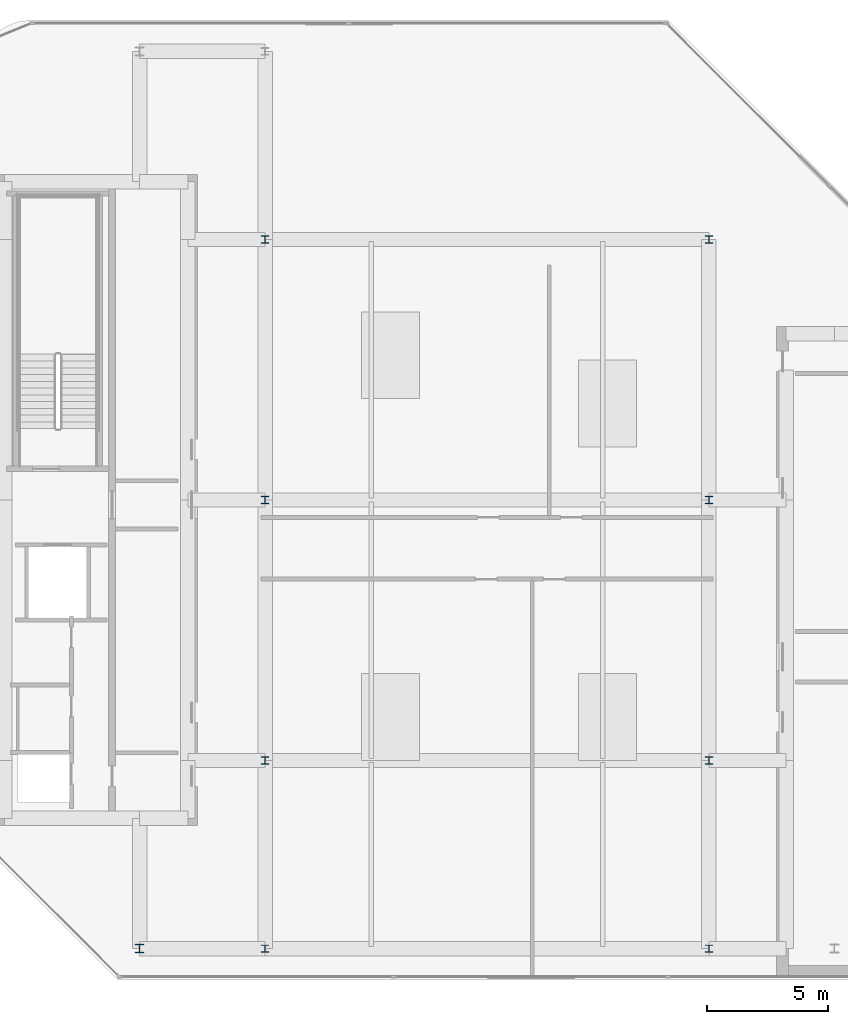
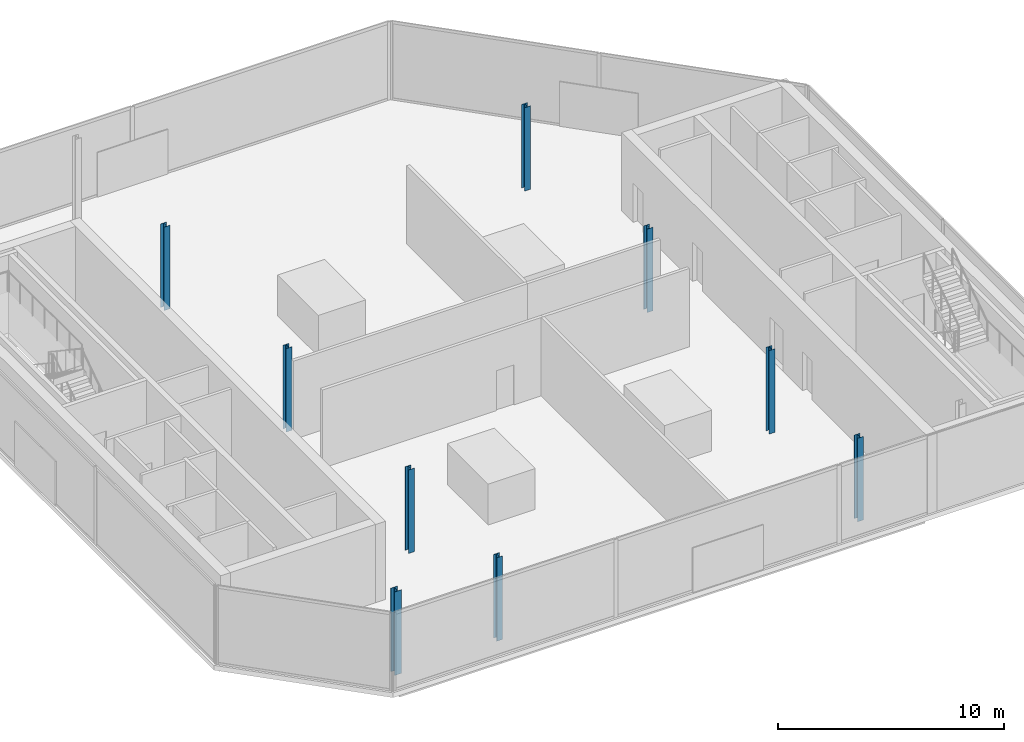
# One storey, part 1 of 15: 9 columns.
"""IFC4 building model written with IfcOpenShell, lengths in metres."""

from ifc_helpers import new_model, si_unit, direction, frame, origin, origin_2d, place, context, subcontext, project, spatial, i_section, extrude, material, material_profile, profile_set, type_object, element, save


model = new_model("IFC4")

# Units and contexts
model_context = context("Model", 3, precision=1e-05, world=origin(), true_north=direction((0.0, 1.0)))
body_context = subcontext(model_context, "Body", "Model", "MODEL_VIEW")
ifc_project = project(units=[si_unit("LENGTHUNIT", "METRE"), si_unit("AREAUNIT", "SQUARE_METRE"), si_unit("VOLUMEUNIT", "CUBIC_METRE"), si_unit("PLANEANGLEUNIT", "RADIAN"), si_unit("MASSUNIT", "GRAM", prefix="KILO")], contexts=[model_context])

# Site, building, storey
site_placement = place(None, origin())
site = spatial("IfcSite", under=ifc_project, at=site_placement, CompositionType="ELEMENT")
building_placement = place(site_placement, origin())
building = spatial("IfcBuilding", under=site, at=building_placement, Name="Khairoan Windgate Tower", CompositionType="ELEMENT")
storey_placement = place(building_placement, frame((0.0, 0.0, 335.0)))
storey = spatial("IfcBuildingStorey", under=building, at=storey_placement, Name="L80", CompositionType="ELEMENT", Elevation=335.0)

# Columns
ifc_material_1 = material(Name="Steel S355", Category="steel")
ifc_material_profile_1 = material_profile(ifc_material_1, i_section(OverallWidth=0.35009765625, OverallDepth=0.35009765625, WebThickness=0.011962890625, FlangeThickness=0.01904296875, FilletRadius=0.02001953125, at=origin_2d()))
ifc_profile_set_1 = profile_set([ifc_material_profile_1], Name="Steel S355")
column_type_1 = type_object("IfcColumnType", Name="Steel Column SC5 H350x350x12x19", PredefinedType="COLUMN", material=ifc_profile_set_1)
column_placement = place(storey_placement, frame((-14.39990234375, -18.60009765625, 0.0), z_axis=(0.0, 0.0, 1.0), x_axis=(1.0, 0.0, 0.0)))
element("IfcColumn", 1, at=column_placement, inside=storey, type_object=column_type_1, Name="Column L80-10", PredefinedType="COLUMN", context=body_context, shape_type="SweptSolid", body=[
    extrude(i_section(OverallWidth=0.35009765625, OverallDepth=0.35009765625, WebThickness=0.011962890625, FlangeThickness=0.01904296875, FilletRadius=0.02001953125, at=origin_2d()), origin(), (0.0, 0.0, 1.0), 4.5),
])
ifc_material_2 = material(Name="Steel S355", Category="steel")
ifc_material_profile_2 = material_profile(ifc_material_2, i_section(OverallWidth=0.300048828125, OverallDepth=0.300048828125, WebThickness=0.010009765625, FlangeThickness=0.014892578125, FilletRadius=0.01806640625, at=origin_2d()))
ifc_profile_set_2 = profile_set([ifc_material_profile_2], Name="Steel S355")
column_type_2 = type_object("IfcColumnType", Name="Steel Column SC6 H300x300x10x15", PredefinedType="COLUMN", material=ifc_profile_set_2)
for number, where, z_axis, x_axis, name in (
    (2, (-9.199951171875, -18.60009765625, 0.0), (0.0, 0.0, 1.0), (1.0, 0.0, 0.0), "Column L80-01"),
    (3, (-9.199951171875, -10.800048828125, 0.0), (0.0, 0.0, 1.0), (1.0, 0.0, 0.0), "Column L80-02"),
    (4, (-9.199951171875, 0.0, 0.0), (0.0, 0.0, 1.0), (1.0, 0.0, 0.0), "Column L80-03"),
    (5, (-9.199951171875, 10.800048828125, 0.0), (0.0, 0.0, 1.0), (1.0, 0.0, 0.0), "Column L80-04"),
    (6, (9.199951171875, -18.60009765625, 0.0), (0.0, 0.0, 1.0), (1.0, 0.0, 0.0), "Column L80-06"),
    (7, (9.199951171875, -10.800048828125, 0.0), (0.0, 0.0, 1.0), (1.0, 0.0, 0.0), "Column L80-07"),
    (8, (9.199951171875, 0.0, 0.0), (0.0, 0.0, 1.0), (1.0, 0.0, 0.0), "Column L80-08"),
    (9, (9.199951171875, 10.800048828125, 0.0), (0.0, 0.0, 1.0), (1.0, 0.0, 0.0), "Column L80-09"),
):
    element("IfcColumn", number, at=place(storey_placement, frame(where, z_axis=z_axis, x_axis=x_axis)), inside=storey, type_object=column_type_2, Name=name, PredefinedType="COLUMN", context=body_context, shape_type="SweptSolid", body=[
        extrude(i_section(OverallWidth=0.300048828125, OverallDepth=0.300048828125, WebThickness=0.010009765625, FlangeThickness=0.014892578125, FilletRadius=0.01806640625, at=origin_2d()), origin(), (0.0, 0.0, 1.0), 4.5),
    ])

save(model, "model.ifc")
